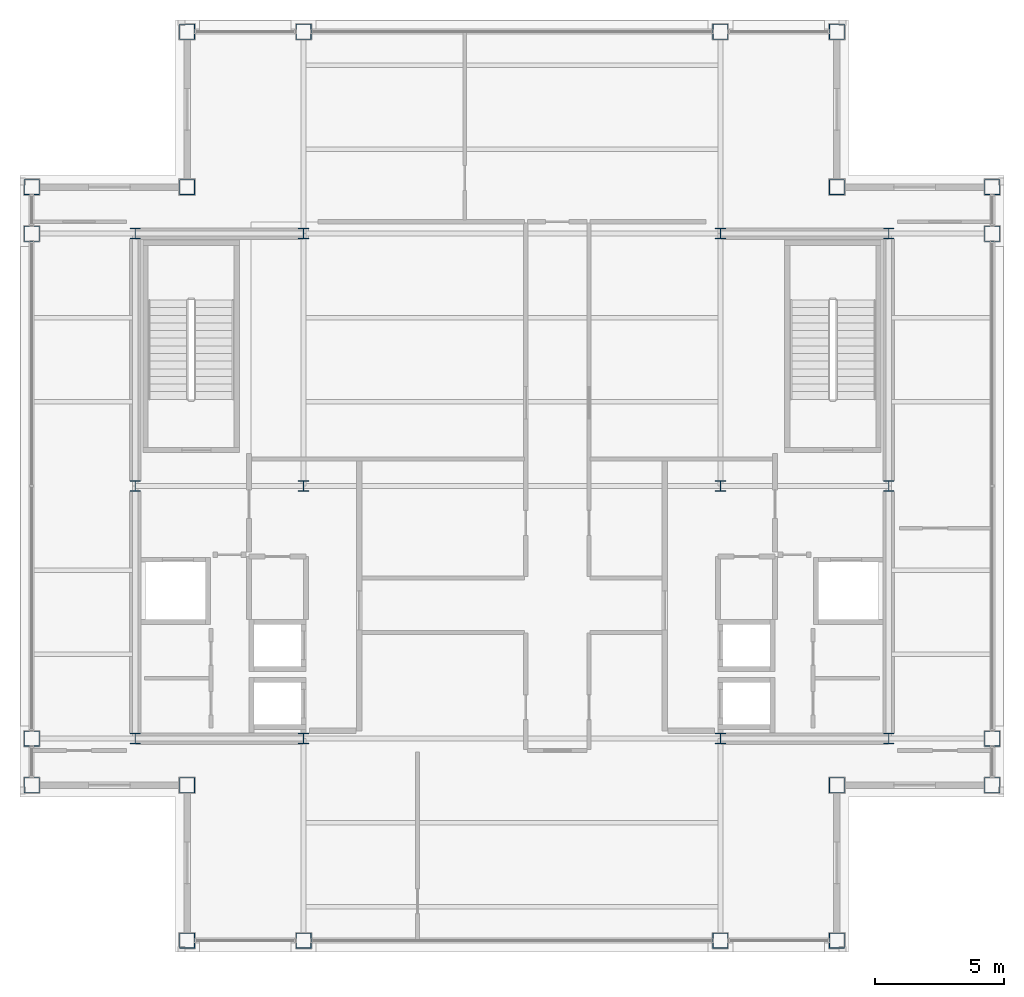
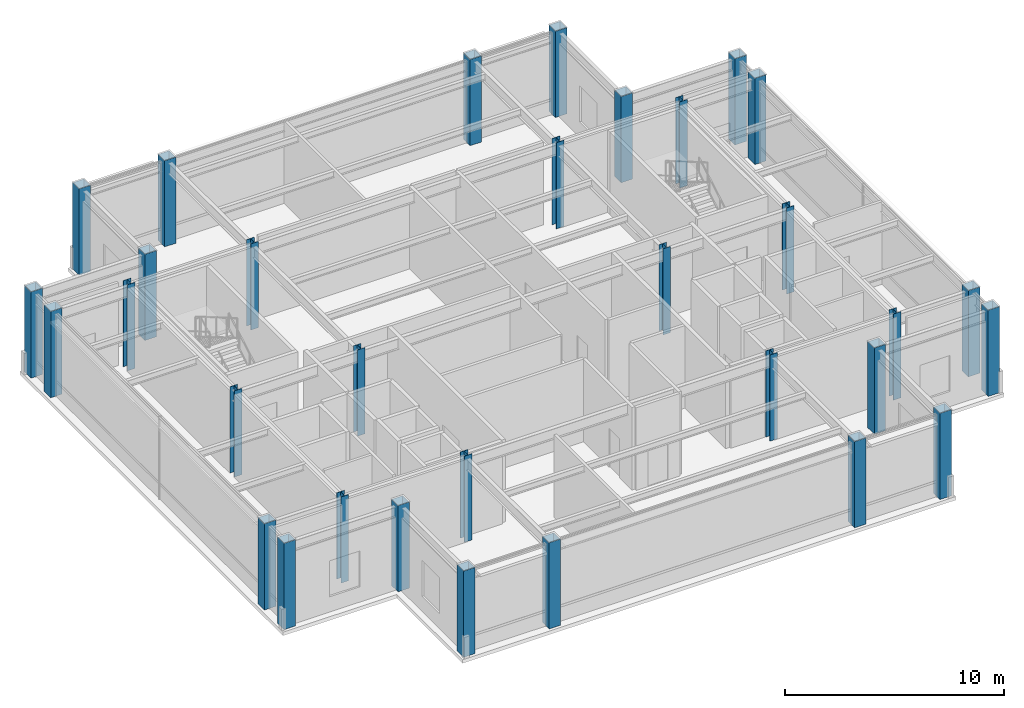
# One storey, part 1 of 21: 32 columns.
"""IFC4 building model written with IfcOpenShell, lengths in metres."""

from ifc_helpers import new_model, si_unit, direction, frame, origin, origin_2d, place, context, subcontext, project, spatial, hollow_rectangle, i_section, extrude, material, material_profile, profile_set, type_object, element, save


model = new_model("IFC4")

# Units and contexts
model_context = context("Model", 3, precision=1e-05, world=origin(), true_north=direction((0.0, 1.0)))
body_context = subcontext(model_context, "Body", "Model", "MODEL_VIEW")
ifc_project = project(units=[si_unit("LENGTHUNIT", "METRE"), si_unit("AREAUNIT", "SQUARE_METRE"), si_unit("VOLUMEUNIT", "CUBIC_METRE"), si_unit("PLANEANGLEUNIT", "RADIAN"), si_unit("MASSUNIT", "GRAM", prefix="KILO")], contexts=[model_context])

# Site, building, storey
site_placement = place(None, origin())
site = spatial("IfcSite", under=ifc_project, at=site_placement, CompositionType="ELEMENT")
building_placement = place(site_placement, origin())
building = spatial("IfcBuilding", under=site, at=building_placement, Name="Brelmoor Portico Tower", CompositionType="ELEMENT")
storey_placement = place(building_placement, frame((0.0, 0.0, 284.39990234375)))
storey = spatial("IfcBuildingStorey", under=building, at=storey_placement, Name="L75", CompositionType="ELEMENT", Elevation=284.39990234375)

# Columns
ifc_material = material(Name="Steel Q355B", Category="steel")
ifc_material_profile_1 = material_profile(ifc_material, hollow_rectangle(XDim=0.60009765625, YDim=0.60009765625, WallThickness=0.02490234375, at=origin_2d()), Name="BOX 600x600x25")
ifc_profile_set_1 = profile_set([ifc_material_profile_1], Name="Steel Q355B")
column_type_1 = type_object("IfcColumnType", Name="COL-MEGA-600", PredefinedType="COLUMN", material=ifc_profile_set_1)
for number, where, z_axis, x_axis, name in (
    (1, (-12.550048828125, -17.550048828125, 0.0), (0.0, 0.0, 1.0), (1.0, 0.0, 0.0), "L75 Perimeter Mega-Column PS01"),
    (2, (-8.050048828125, -17.550048828125, 0.0), (0.0, 0.0, 1.0), (1.0, 0.0, 0.0), "L75 Perimeter Mega-Column PS02"),
    (3, (8.050048828125, -17.550048828125, 0.0), (0.0, 0.0, 1.0), (1.0, 0.0, 0.0), "L75 Perimeter Mega-Column PS03"),
    (4, (12.550048828125, -17.550048828125, 0.0), (0.0, 0.0, 1.0), (1.0, 0.0, 0.0), "L75 Perimeter Mega-Column PS04"),
    (5, (-12.550048828125, 17.550048828125, 0.0), (0.0, 0.0, 1.0), (1.0, 0.0, 0.0), "L75 Perimeter Mega-Column PN01"),
    (6, (-8.050048828125, 17.550048828125, 0.0), (0.0, 0.0, 1.0), (1.0, 0.0, 0.0), "L75 Perimeter Mega-Column PN02"),
    (7, (8.050048828125, 17.550048828125, 0.0), (0.0, 0.0, 1.0), (1.0, 0.0, 0.0), "L75 Perimeter Mega-Column PN03"),
    (8, (12.550048828125, 17.550048828125, 0.0), (0.0, 0.0, 1.0), (1.0, 0.0, 0.0), "L75 Perimeter Mega-Column PN04"),
    (9, (-18.550048828125, -11.550048828125, 0.0), (0.0, 0.0, 1.0), (0.0, 1.0, 0.0), "L75 Perimeter Mega-Column PW01"),
    (10, (-18.550048828125, -9.75, 0.0), (0.0, 0.0, 1.0), (0.0, 1.0, 0.0), "L75 Perimeter Mega-Column PW02"),
    (11, (-18.550048828125, 9.75, 0.0), (0.0, 0.0, 1.0), (0.0, 1.0, 0.0), "L75 Perimeter Mega-Column PW03"),
    (12, (-18.550048828125, 11.550048828125, 0.0), (0.0, 0.0, 1.0), (0.0, 1.0, 0.0), "L75 Perimeter Mega-Column PW04"),
    (13, (18.550048828125, -11.550048828125, 0.0), (0.0, 0.0, 1.0), (0.0, 1.0, 0.0), "L75 Perimeter Mega-Column PE01"),
    (14, (18.550048828125, -9.75, 0.0), (0.0, 0.0, 1.0), (0.0, 1.0, 0.0), "L75 Perimeter Mega-Column PE02"),
    (15, (18.550048828125, 9.75, 0.0), (0.0, 0.0, 1.0), (0.0, 1.0, 0.0), "L75 Perimeter Mega-Column PE03"),
    (16, (18.550048828125, 11.550048828125, 0.0), (0.0, 0.0, 1.0), (0.0, 1.0, 0.0), "L75 Perimeter Mega-Column PE04"),
    (17, (-12.550048828125, 11.550048828125, 0.0), (0.0, 0.0, 1.0), (1.0, 0.0, 0.0), "L75 Perimeter Mega-Column PC-NW"),
    (18, (12.550048828125, 11.550048828125, 0.0), (0.0, 0.0, 1.0), (1.0, 0.0, 0.0), "L75 Perimeter Mega-Column PC-NE"),
    (19, (12.550048828125, -11.550048828125, 0.0), (0.0, 0.0, 1.0), (1.0, 0.0, 0.0), "L75 Perimeter Mega-Column PC-SE"),
    (20, (-12.550048828125, -11.550048828125, 0.0), (0.0, 0.0, 1.0), (1.0, 0.0, 0.0), "L75 Perimeter Mega-Column PC-SW"),
):
    element("IfcColumn", number, at=place(storey_placement, frame(where, z_axis=z_axis, x_axis=x_axis)), inside=storey, type_object=column_type_1, Name=name, PredefinedType="COLUMN", context=body_context, shape_type="SweptSolid", body=[
        extrude(hollow_rectangle(XDim=0.60009765625, YDim=0.60009765625, WallThickness=0.02490234375, at=origin_2d()), origin(), (0.0, 0.0, 1.0), 4.800048828125),
    ])
ifc_material_profile_2 = material_profile(ifc_material, i_section(OverallWidth=0.39990234375, OverallDepth=0.39990234375, WebThickness=0.012939453125, FlangeThickness=0.02099609375, at=origin_2d()), Name="HW 400x400x13x21")
ifc_profile_set_2 = profile_set([ifc_material_profile_2], Name="Steel Q355B")
column_type_2 = type_object("IfcColumnType", Name="COL-SPINE-400", PredefinedType="COLUMN", material=ifc_profile_set_2)
for number, where, z_axis, x_axis, name in (
    (21, (-14.550048828125, -9.75, 0.0), (0.0, 0.0, 1.0), (1.0, 0.0, 0.0), "L75 Core Spine Column CW-SW"),
    (22, (-14.550048828125, 0.0, 0.0), (0.0, 0.0, 1.0), (1.0, 0.0, 0.0), "L75 Core Spine Column CW-MW"),
    (23, (-14.550048828125, 9.75, 0.0), (0.0, 0.0, 1.0), (1.0, 0.0, 0.0), "L75 Core Spine Column CW-NW"),
    (24, (-8.050048828125, -9.75, 0.0), (0.0, 0.0, 1.0), (1.0, 0.0, 0.0), "L75 Core Spine Column CW-SE"),
    (25, (-8.050048828125, 0.0, 0.0), (0.0, 0.0, 1.0), (1.0, 0.0, 0.0), "L75 Core Spine Column CW-ME"),
    (26, (-8.050048828125, 9.75, 0.0), (0.0, 0.0, 1.0), (1.0, 0.0, 0.0), "L75 Core Spine Column CW-NE"),
    (27, (8.050048828125, -9.75, 0.0), (0.0, 0.0, 1.0), (1.0, 0.0, 0.0), "L75 Core Spine Column CE-SW"),
    (28, (8.050048828125, 0.0, 0.0), (0.0, 0.0, 1.0), (1.0, 0.0, 0.0), "L75 Core Spine Column CE-MW"),
    (29, (8.050048828125, 9.75, 0.0), (0.0, 0.0, 1.0), (1.0, 0.0, 0.0), "L75 Core Spine Column CE-NW"),
    (30, (14.550048828125, -9.75, 0.0), (0.0, 0.0, 1.0), (1.0, 0.0, 0.0), "L75 Core Spine Column CE-SE"),
    (31, (14.550048828125, 0.0, 0.0), (0.0, 0.0, 1.0), (1.0, 0.0, 0.0), "L75 Core Spine Column CE-ME"),
    (32, (14.550048828125, 9.75, 0.0), (0.0, 0.0, 1.0), (1.0, 0.0, 0.0), "L75 Core Spine Column CE-NE"),
):
    element("IfcColumn", number, at=place(storey_placement, frame(where, z_axis=z_axis, x_axis=x_axis)), inside=storey, type_object=column_type_2, Name=name, PredefinedType="COLUMN", context=body_context, shape_type="SweptSolid", body=[
        extrude(i_section(OverallWidth=0.39990234375, OverallDepth=0.39990234375, WebThickness=0.012939453125, FlangeThickness=0.02099609375, at=origin_2d()), origin(), (0.0, 0.0, 1.0), 4.800048828125),
    ])

save(model, "model.ifc")
